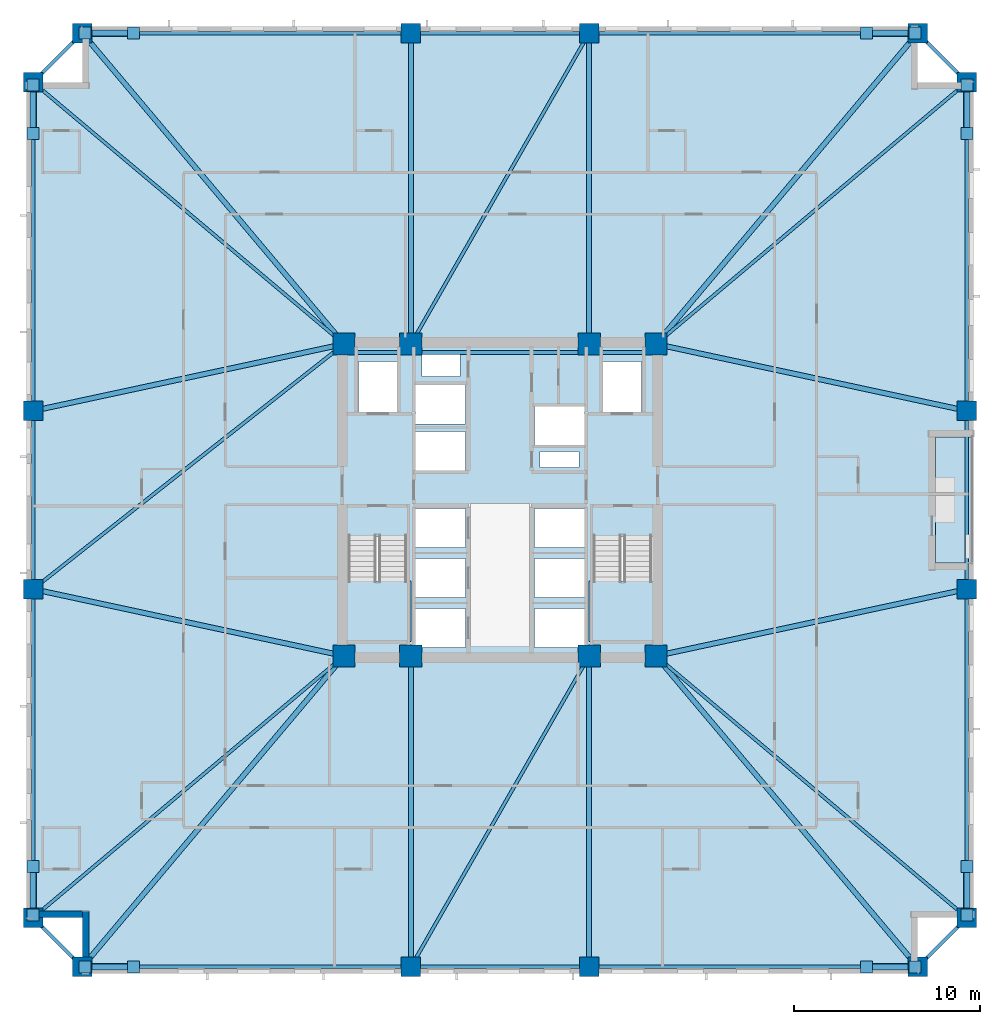
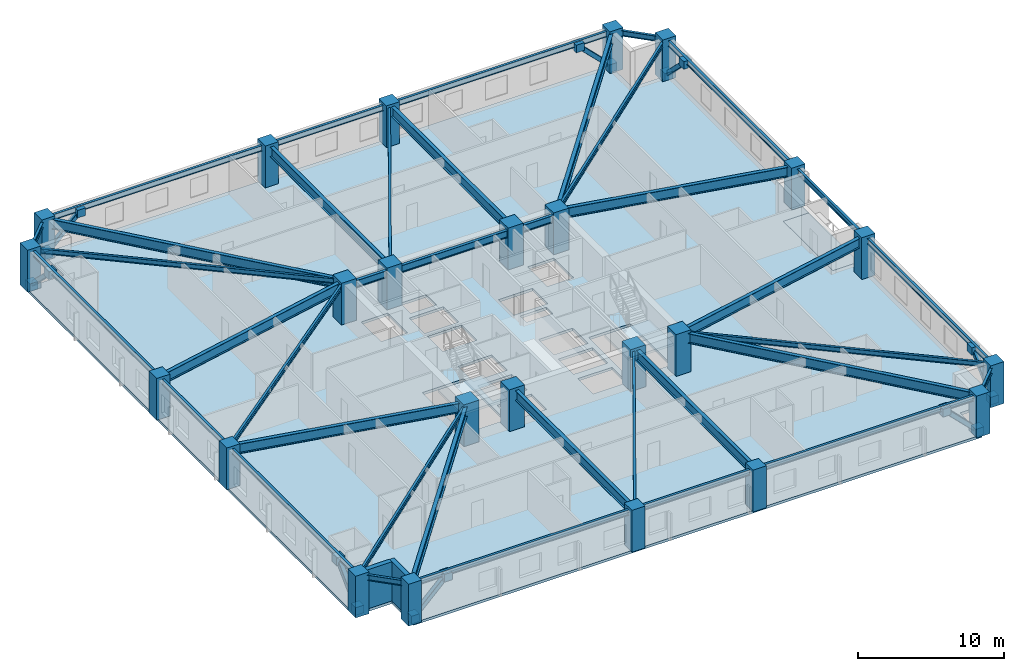
# One storey, part 1 of 11: 38 beams, 24 columns, 16 plates, 8 members, 4 slabs, 2 walls, 2 elements without a shape of their own.
"""IFC4 building model written with IfcOpenShell, lengths in metres."""

from ifc_helpers import new_model, si_unit, direction, frame, frame_2d, origin, origin_2d, place, context, subcontext, project, spatial, polyline, rectangle, hollow_rectangle, i_section, outline, extrude, material, layer, layer_set, material_profile, profile_set, type_object, element, aggregate, save


model = new_model("IFC4")

# Units and contexts
model_context = context("Model", 3, precision=1e-05, world=origin(), true_north=direction((0.0, 1.0)))
body_context = subcontext(model_context, "Body", "Model", "MODEL_VIEW")
ifc_project = project(units=[si_unit("LENGTHUNIT", "METRE"), si_unit("AREAUNIT", "SQUARE_METRE"), si_unit("VOLUMEUNIT", "CUBIC_METRE"), si_unit("PLANEANGLEUNIT", "RADIAN"), si_unit("MASSUNIT", "GRAM", prefix="KILO")], contexts=[model_context])

# Site, building, storey
site_placement = place(None, origin())
site = spatial("IfcSite", under=ifc_project, at=site_placement, CompositionType="ELEMENT")
building_placement = place(site_placement, origin())
building = spatial("IfcBuilding", under=site, at=building_placement, Name="Cairnveth Concourse Tower", CompositionType="ELEMENT")
storey_placement = place(building_placement, frame((0.0, 0.0, 69.0)))
storey = spatial("IfcBuildingStorey", under=building, at=storey_placement, Name="L18", CompositionType="ELEMENT", Elevation=69.0)

# Columns
ifc_material_1 = material(Name="Concrete N80 (80 MPa)", Category="concrete")
ifc_material_profile_1 = material_profile(ifc_material_1, rectangle(XDim=1.199951171875, YDim=1.199951171875, at=origin_2d()), Name="RC-COL-1200x1200")
ifc_profile_set_1 = profile_set([ifc_material_profile_1], Name="Concrete N80 (80 MPa)")
column_type_1 = type_object("IfcColumnType", Name="CORE COLUMN 1200X1200", PredefinedType="COLUMN", material=ifc_profile_set_1)
for number, where, z_axis, x_axis, name in (
    (1, (43.60009765625, 30.60009765625, 0.0), (0.0, 0.0, 1.0), (1.0, 0.0, 0.0), "Column CC1 L18"),
    (2, (47.199951171875, 30.60009765625, 0.0), (0.0, 0.0, 1.0), (1.0, 0.0, 0.0), "Column CC2 L18"),
    (3, (56.800048828125, 30.60009765625, 0.0), (0.0, 0.0, 1.0), (1.0, 0.0, 0.0), "Column CC3 L18"),
    (4, (60.39990234375, 30.60009765625, 0.0), (0.0, 0.0, 1.0), (1.0, 0.0, 0.0), "Column CC4 L18"),
    (5, (43.60009765625, 47.39990234375, 0.0), (0.0, 0.0, 1.0), (1.0, 0.0, 0.0), "Column CC5 L18"),
    (6, (47.199951171875, 47.39990234375, 0.0), (0.0, 0.0, 1.0), (1.0, 0.0, 0.0), "Column CC6 L18"),
    (7, (56.800048828125, 47.39990234375, 0.0), (0.0, 0.0, 1.0), (1.0, 0.0, 0.0), "Column CC7 L18"),
    (8, (60.39990234375, 47.39990234375, 0.0), (0.0, 0.0, 1.0), (1.0, 0.0, 0.0), "Column CC8 L18"),
):
    element("IfcColumn", number, at=place(storey_placement, frame(where, z_axis=z_axis, x_axis=x_axis)), inside=storey, type_object=column_type_1, Name=name, PredefinedType="COLUMN", context=body_context, shape_type="SweptSolid", body=[
        extrude(rectangle(XDim=1.199951171875, YDim=1.199951171875, at=origin_2d()), origin(), (0.0, 0.0, 1.0), 3.5),
    ])
ifc_material_2 = material(Name="Concrete N65 (65 MPa)", Category="concrete")
ifc_material_profile_2 = material_profile(ifc_material_2, rectangle(XDim=1.050048828125, YDim=1.050048828125, at=origin_2d()), Name="RC-COL-1050x1050")
ifc_profile_set_2 = profile_set([ifc_material_profile_2], Name="Concrete N65 (65 MPa)")
column_type_2 = type_object("IfcColumnType", Name="PERIMETER PIER COLUMN 1050X1050", PredefinedType="COLUMN", material=ifc_profile_set_2)
for number, where, z_axis, x_axis, name in (
    (9, (29.5, 13.85009765625, 0.0), (0.0, 0.0, 1.0), (1.0, 0.0, 0.0), "Column P-S1 L18"),
    (10, (47.199951171875, 13.85009765625, 0.0), (0.0, 0.0, 1.0), (1.0, 0.0, 0.0), "Column P-S2 L18"),
    (11, (56.800048828125, 13.85009765625, 0.0), (0.0, 0.0, 1.0), (1.0, 0.0, 0.0), "Column P-S3 L18"),
    (12, (74.5, 13.85009765625, 0.0), (0.0, 0.0, 1.0), (1.0, 0.0, 0.0), "Column P-S4 L18"),
    (13, (77.14990234375, 16.5, 0.0), (0.0, 0.0, 1.0), (0.0, 1.0, 0.0), "Column P-E1 L18"),
    (14, (77.14990234375, 34.199951171875, 0.0), (0.0, 0.0, 1.0), (0.0, 1.0, 0.0), "Column P-E2 L18"),
    (15, (77.14990234375, 43.800048828125, 0.0), (0.0, 0.0, 1.0), (0.0, 1.0, 0.0), "Column P-E3 L18"),
    (16, (77.14990234375, 61.5, 0.0), (0.0, 0.0, 1.0), (0.0, 1.0, 0.0), "Column P-E4 L18"),
    (17, (74.5, 64.14990234375, 0.0), (0.0, 0.0, 1.0), (1.0, 0.0, 0.0), "Column P-N1 L18"),
    (18, (56.800048828125, 64.14990234375, 0.0), (0.0, 0.0, 1.0), (1.0, 0.0, 0.0), "Column P-N2 L18"),
    (19, (47.199951171875, 64.14990234375, 0.0), (0.0, 0.0, 1.0), (1.0, 0.0, 0.0), "Column P-N3 L18"),
    (20, (29.5, 64.14990234375, 0.0), (0.0, 0.0, 1.0), (1.0, 0.0, 0.0), "Column P-N4 L18"),
    (21, (26.85009765625, 61.5, 0.0), (0.0, 0.0, 1.0), (0.0, 1.0, 0.0), "Column P-W1 L18"),
    (22, (26.85009765625, 43.800048828125, 0.0), (0.0, 0.0, 1.0), (0.0, 1.0, 0.0), "Column P-W2 L18"),
    (23, (26.85009765625, 34.199951171875, 0.0), (0.0, 0.0, 1.0), (0.0, 1.0, 0.0), "Column P-W3 L18"),
    (24, (26.85009765625, 16.5, 0.0), (0.0, 0.0, 1.0), (0.0, 1.0, 0.0), "Column P-W4 L18"),
):
    element("IfcColumn", number, at=place(storey_placement, frame(where, z_axis=z_axis, x_axis=x_axis)), inside=storey, type_object=column_type_2, Name=name, PredefinedType="COLUMN", context=body_context, shape_type="SweptSolid", body=[
        extrude(rectangle(XDim=1.050048828125, YDim=1.050048828125, at=origin_2d()), origin(), (0.0, 0.0, 1.0), 3.5),
    ])

# Beams
ifc_material_3 = material(Name="Steel Grade 350", Category="steel")
ifc_material_profile_3 = material_profile(ifc_material_3, i_section(OverallWidth=0.22802734375, OverallDepth=0.60693359375, WebThickness=0.01123046875, FlangeThickness=0.017333984375, FilletRadius=0.013916015625, at=origin_2d()), Name="610UB113")
ifc_profile_set_3 = profile_set([ifc_material_profile_3], Name="Steel Grade 350")
beam_type_1 = type_object("IfcBeamType", Name="CORE TIE BEAM 610UB113", PredefinedType="T_BEAM", material=ifc_profile_set_3)
for number, where, z_axis, x_axis, name in (
    (25, (43.60009765625, 46.949951171875, 2.9765625), (1.0, 0.0, 0.0), (0.0, 1.0, 0.0), "Beam CT-N1 L18"),
    (26, (56.800048828125, 46.949951171875, 2.9765625), (1.0, 0.0, 0.0), (0.0, 1.0, 0.0), "Beam CT-N3 L18"),
):
    element("IfcBeam", number, at=place(storey_placement, frame(where, z_axis=z_axis, x_axis=x_axis)), inside=storey, type_object=beam_type_1, Name=name, PredefinedType="T_BEAM", context=body_context, shape_type="SweptSolid", body=[
        extrude(i_section(OverallWidth=0.22802734375, OverallDepth=0.60693359375, WebThickness=0.01123046875, FlangeThickness=0.017333984375, FilletRadius=0.013916015625, at=origin_2d()), origin(), (0.0, 0.0, 1.0), 3.599853515625),
    ])
beam_1_placement = place(storey_placement, frame((47.199951171875, 46.949951171875, 2.9765625), z_axis=(1.0, 0.0, 0.0), x_axis=(0.0, 1.0, 0.0)))
element("IfcBeam", 27, at=beam_1_placement, inside=storey, type_object=beam_type_1, Name="Beam CT-N2 L18", PredefinedType="T_BEAM", context=body_context, shape_type="SweptSolid", body=[
    extrude(i_section(OverallWidth=0.22802734375, OverallDepth=0.60693359375, WebThickness=0.01123046875, FlangeThickness=0.017333984375, FilletRadius=0.013916015625, at=origin_2d()), origin(), (0.0, 0.0, 1.0), 9.60009765625),
])
ifc_material_profile_4 = material_profile(ifc_material_3, i_section(OverallWidth=0.177978515625, OverallDepth=0.406005859375, WebThickness=0.0078125, FlangeThickness=0.0126953125, FilletRadius=0.010986328125, at=origin_2d()), Name="410UB59.7")
ifc_profile_set_4 = profile_set([ifc_material_profile_4], Name="Steel Grade 350")
beam_type_2 = type_object("IfcBeamType", Name="ZONE 1 FLOOR JOIST 410UB59.7", PredefinedType="JOIST", material=ifc_profile_set_4)
for number, where, z_axis, x_axis, name in (
    (28, (26.85009765625, 16.5, 3.076904296875), (0.765027427674, 0.643997697905, 0.0), (-0.643997697905, 0.765027427674, 0.0), "Beam FJ-CSW2 L18"),
    (29, (77.14990234375, 16.5, 3.076904296875), (-0.765027427674, 0.643997697905, 0.0), (-0.643997697905, -0.765027427674, 0.0), "Beam FJ-CSE2 L18"),
    (30, (77.14990234375, 61.5, 3.076904296875), (-0.765027427674, -0.643997697905, 0.0), (0.643997697905, -0.765027427674, 0.0), "Beam FJ-CNE2 L18"),
    (31, (26.85009765625, 61.5, 3.076904296875), (0.765027427674, -0.643997697905, 0.0), (0.643997697905, 0.765027427674, 0.0), "Beam FJ-CNW2 L18"),
):
    element("IfcBeam", number, at=place(storey_placement, frame(where, z_axis=z_axis, x_axis=x_axis)), inside=storey, type_object=beam_type_2, Name=name, PredefinedType="JOIST", context=body_context, shape_type="SweptSolid", body=[
        extrude(i_section(OverallWidth=0.177978515625, OverallDepth=0.406005859375, WebThickness=0.0078125, FlangeThickness=0.0126953125, FilletRadius=0.010986328125, at=origin_2d()), origin(), (0.0, 0.0, 1.0), 21.89453125),
    ])
for number, where, z_axis, x_axis, name in (
    (32, (47.199951171875, 13.85009765625, 3.076904296875), (0.497257970706, 0.86760273776, 0.0), (-0.86760273776, 0.497257970706, 0.0), "Beam FJ-S-M1 L18"),
    (33, (47.199951171875, 47.39990234375, 3.076904296875), (0.497257970706, 0.86760273776, 0.0), (-0.86760273776, 0.497257970706, 0.0), "Beam FJ-N-M1 L18"),
):
    element("IfcBeam", number, at=place(storey_placement, frame(where, z_axis=z_axis, x_axis=x_axis)), inside=storey, type_object=beam_type_2, Name=name, PredefinedType="JOIST", context=body_context, shape_type="SweptSolid", body=[
        extrude(i_section(OverallWidth=0.177978515625, OverallDepth=0.406005859375, WebThickness=0.0078125, FlangeThickness=0.0126953125, FilletRadius=0.010986328125, at=origin_2d()), origin(), (0.0, 0.0, 1.0), 19.30615234375),
    ])
beam_2_placement = place(storey_placement, frame((26.85009765625, 34.199951171875, 3.076904296875), z_axis=(0.785423705995, 0.618958481694, 0.0), x_axis=(-0.618958481694, 0.785423705995, 0.0)))
element("IfcBeam", 34, at=beam_2_placement, inside=storey, type_object=beam_type_2, Name="Beam FJ-W-M1 L18", PredefinedType="JOIST", context=body_context, shape_type="SweptSolid", body=[
    extrude(i_section(OverallWidth=0.177978515625, OverallDepth=0.406005859375, WebThickness=0.0078125, FlangeThickness=0.0126953125, FilletRadius=0.010986328125, at=origin_2d()), origin(), (0.0, 0.0, 1.0), 21.326171875),
])

# Members
ifc_material_4 = material(Name="Steel C350L0 (350 MPa)", Category="steel")
ifc_material_profile_5 = material_profile(ifc_material_4, hollow_rectangle(XDim=0.35009765625, YDim=0.35009765625, WallThickness=0.01611328125, InnerFilletRadius=0.01611328125, OuterFilletRadius=0.031982421875, at=origin_2d()), Name="350x350x16.0SHS")
ifc_profile_set_5 = profile_set([ifc_material_profile_5], Name="Steel C350L0 (350 MPa)")
member_type = type_object("IfcMemberType", Name="ZONE 1 PIER BRACE 350X350X16SHS", PredefinedType="BRACE", material=ifc_profile_set_5)
for number, where, z_axis, x_axis, name in (
    (35, (29.64990234375, 13.85009765625, 0.25), (0.709834195787, 0.0, 0.704368805735), (0.0, 1.0, 0.0), "Structural Brace PB-S1 L18"),
    (36, (74.35009765625, 13.85009765625, 0.25), (-0.709834195787, 0.0, 0.704368805735), (0.0, -1.0, 0.0), "Structural Brace PB-S2 L18"),
    (37, (29.64990234375, 64.14990234375, 0.25), (0.709834195787, 0.0, 0.704368805735), (0.0, 1.0, 0.0), "Structural Brace PB-N1 L18"),
    (38, (74.35009765625, 64.14990234375, 0.25), (-0.709834195787, 0.0, 0.704368805735), (0.0, -1.0, 0.0), "Structural Brace PB-N2 L18"),
    (39, (26.85009765625, 16.64990234375, 0.25), (0.0, 0.709834195787, 0.704368805735), (-1.0, 0.0, 0.0), "Structural Brace PB-W1 L18"),
    (40, (26.85009765625, 61.35009765625, 0.25), (0.0, -0.709834195787, 0.704368805735), (1.0, 0.0, 0.0), "Structural Brace PB-W2 L18"),
    (41, (77.14990234375, 16.64990234375, 0.25), (0.0, 0.709834195787, 0.704368805735), (-1.0, 0.0, 0.0), "Structural Brace PB-E1 L18"),
    (42, (77.14990234375, 61.35009765625, 0.25), (0.0, -0.709834195787, 0.704368805735), (1.0, 0.0, 0.0), "Structural Brace PB-E2 L18"),
):
    element("IfcMember", number, at=place(storey_placement, frame(where, z_axis=z_axis, x_axis=x_axis)), inside=storey, type_object=member_type, Name=name, PredefinedType="BRACE", context=body_context, shape_type="SweptSolid", body=[
        extrude(hollow_rectangle(XDim=0.35009765625, YDim=0.35009765625, WallThickness=0.01611328125, InnerFilletRadius=0.01611328125, OuterFilletRadius=0.031982421875, at=origin_2d()), origin(), (0.0, 0.0, 1.0), 3.6630859375),
    ])

# Beams
ifc_material_profile_6 = material_profile(ifc_material_3, i_section(OverallWidth=0.27490234375, OverallDepth=0.81591796875, WebThickness=0.011962890625, FlangeThickness=0.028076171875, at=origin_2d()), Name="800WB192")
ifc_profile_set_6 = profile_set([ifc_material_profile_6], Name="Steel Grade 350")
beam_type_3 = type_object("IfcBeamType", Name="ZONE 1 RADIAL GIRDER 800WB192", PredefinedType="BEAM", material=ifc_profile_set_6)
for number, where, z_axis, x_axis, name in (
    (43, (47.199951171875, 13.85009765625, 2.8720703125), (0.0, 1.0, 0.0), (-1.0, 0.0, 0.0), "Beam RG-S1 L18"),
    (44, (56.800048828125, 13.85009765625, 2.8720703125), (0.0, 1.0, 0.0), (-1.0, 0.0, 0.0), "Beam RG-S2 L18"),
    (45, (47.199951171875, 47.39990234375, 2.8720703125), (0.0, 1.0, 0.0), (-1.0, 0.0, 0.0), "Beam RG-N1 L18"),
    (46, (56.800048828125, 47.39990234375, 2.8720703125), (0.0, 1.0, 0.0), (-1.0, 0.0, 0.0), "Beam RG-N2 L18"),
):
    element("IfcBeam", number, at=place(storey_placement, frame(where, z_axis=z_axis, x_axis=x_axis)), inside=storey, type_object=beam_type_3, Name=name, PredefinedType="BEAM", context=body_context, shape_type="SweptSolid", body=[
        extrude(i_section(OverallWidth=0.27490234375, OverallDepth=0.81591796875, WebThickness=0.011962890625, FlangeThickness=0.028076171875, at=origin_2d()), origin(), (0.0, 0.0, 1.0), 16.75),
    ])
for number, where, z_axis, x_axis, name in (
    (47, (26.85009765625, 34.199951171875, 2.8720703125), (0.977675861524, -0.210118799239, 0.0), (0.210118799239, 0.977675861524, 0.0), "Beam RG-W1 L18"),
    (48, (26.85009765625, 43.800048828125, 2.8720703125), (0.977675861524, 0.210118799239, 0.0), (-0.210118799239, 0.977675861524, 0.0), "Beam RG-W2 L18"),
    (49, (60.39990234375, 30.60009765625, 2.8720703125), (0.977675861524, 0.210118799239, 0.0), (-0.210118799239, 0.977675861524, 0.0), "Beam RG-E1 L18"),
    (50, (60.39990234375, 47.39990234375, 2.8720703125), (0.977675861524, -0.210118799239, 0.0), (0.210118799239, 0.977675861524, 0.0), "Beam RG-E2 L18"),
):
    element("IfcBeam", number, at=place(storey_placement, frame(where, z_axis=z_axis, x_axis=x_axis)), inside=storey, type_object=beam_type_3, Name=name, PredefinedType="BEAM", context=body_context, shape_type="SweptSolid", body=[
        extrude(i_section(OverallWidth=0.27490234375, OverallDepth=0.81591796875, WebThickness=0.011962890625, FlangeThickness=0.028076171875, at=origin_2d()), origin(), (0.0, 0.0, 1.0), 17.132568359375),
    ])
for number, where, z_axis, x_axis, name in (
    (51, (29.5, 13.85009765625, 2.8720703125), (0.643997697905, 0.765027427674, 0.0), (-0.765027427674, 0.643997697905, 0.0), "Beam RG-CSW L18"),
    (52, (74.5, 13.85009765625, 2.8720703125), (-0.643997697905, 0.765027427674, 0.0), (-0.765027427674, -0.643997697905, 0.0), "Beam RG-CSE L18"),
    (53, (74.5, 64.14990234375, 2.8720703125), (-0.643997697905, -0.765027427674, 0.0), (0.765027427674, -0.643997697905, 0.0), "Beam RG-CNE L18"),
    (54, (29.5, 64.14990234375, 2.8720703125), (0.643997697905, -0.765027427674, 0.0), (0.765027427674, 0.643997697905, 0.0), "Beam RG-CNW L18"),
):
    element("IfcBeam", number, at=place(storey_placement, frame(where, z_axis=z_axis, x_axis=x_axis)), inside=storey, type_object=beam_type_3, Name=name, PredefinedType="BEAM", context=body_context, shape_type="SweptSolid", body=[
        extrude(i_section(OverallWidth=0.27490234375, OverallDepth=0.81591796875, WebThickness=0.011962890625, FlangeThickness=0.028076171875, at=origin_2d()), origin(), (0.0, 0.0, 1.0), 21.89453125),
    ])
ifc_material_profile_7 = material_profile(ifc_material_3, i_section(OverallWidth=0.19091796875, OverallDepth=0.4599609375, WebThickness=0.010009765625, FlangeThickness=0.01611328125, FilletRadius=0.010986328125, at=origin_2d()), Name="460UB82.1")
ifc_profile_set_7 = profile_set([ifc_material_profile_7], Name="Steel Grade 350")
beam_type_4 = type_object("IfcBeamType", Name="ZONE 1 SPANDREL BEAM 460UB82.1", PredefinedType="SPANDREL", material=ifc_profile_set_7)
beam_3_placement = place(storey_placement, frame((29.5, 13.85009765625, 3.050048828125), z_axis=(1.0, 0.0, 0.0), x_axis=(0.0, 1.0, 0.0)))
element("IfcBeam", 55, at=beam_3_placement, inside=storey, type_object=beam_type_4, Name="Beam SP-S1 L18", PredefinedType="SPANDREL", context=body_context, shape_type="SweptSolid", body=[
    extrude(i_section(OverallWidth=0.19091796875, OverallDepth=0.4599609375, WebThickness=0.010009765625, FlangeThickness=0.01611328125, FilletRadius=0.010986328125, at=origin_2d()), origin(), (0.0, 0.0, 1.0), 17.699951171875),
])
beam_4_placement = place(storey_placement, frame((47.199951171875, 13.85009765625, 3.050048828125), z_axis=(1.0, 0.0, 0.0), x_axis=(0.0, 1.0, 0.0)))
element("IfcBeam", 56, at=beam_4_placement, inside=storey, type_object=beam_type_4, Name="Beam SP-S2 L18", PredefinedType="SPANDREL", context=body_context, shape_type="SweptSolid", body=[
    extrude(i_section(OverallWidth=0.19091796875, OverallDepth=0.4599609375, WebThickness=0.010009765625, FlangeThickness=0.01611328125, FilletRadius=0.010986328125, at=origin_2d()), origin(), (0.0, 0.0, 1.0), 9.60009765625),
])
for number, where, z_axis, x_axis, name in (
    (57, (56.800048828125, 13.85009765625, 3.050048828125), (1.0, 0.0, 0.0), (0.0, 1.0, 0.0), "Beam SP-S3 L18"),
    (58, (29.5, 64.14990234375, 3.050048828125), (1.0, 0.0, 0.0), (0.0, 1.0, 0.0), "Beam SP-N1 L18"),
):
    element("IfcBeam", number, at=place(storey_placement, frame(where, z_axis=z_axis, x_axis=x_axis)), inside=storey, type_object=beam_type_4, Name=name, PredefinedType="SPANDREL", context=body_context, shape_type="SweptSolid", body=[
        extrude(i_section(OverallWidth=0.19091796875, OverallDepth=0.4599609375, WebThickness=0.010009765625, FlangeThickness=0.01611328125, FilletRadius=0.010986328125, at=origin_2d()), origin(), (0.0, 0.0, 1.0), 17.699951171875),
    ])
beam_5_placement = place(storey_placement, frame((47.199951171875, 64.14990234375, 3.050048828125), z_axis=(1.0, 0.0, 0.0), x_axis=(0.0, 1.0, 0.0)))
element("IfcBeam", 59, at=beam_5_placement, inside=storey, type_object=beam_type_4, Name="Beam SP-N2 L18", PredefinedType="SPANDREL", context=body_context, shape_type="SweptSolid", body=[
    extrude(i_section(OverallWidth=0.19091796875, OverallDepth=0.4599609375, WebThickness=0.010009765625, FlangeThickness=0.01611328125, FilletRadius=0.010986328125, at=origin_2d()), origin(), (0.0, 0.0, 1.0), 9.60009765625),
])
for number, where, z_axis, x_axis, name in (
    (60, (56.800048828125, 64.14990234375, 3.050048828125), (1.0, 0.0, 0.0), (0.0, 1.0, 0.0), "Beam SP-N3 L18"),
    (61, (26.85009765625, 16.5, 3.050048828125), (0.0, 1.0, 0.0), (-1.0, 0.0, 0.0), "Beam SP-W1 L18"),
):
    element("IfcBeam", number, at=place(storey_placement, frame(where, z_axis=z_axis, x_axis=x_axis)), inside=storey, type_object=beam_type_4, Name=name, PredefinedType="SPANDREL", context=body_context, shape_type="SweptSolid", body=[
        extrude(i_section(OverallWidth=0.19091796875, OverallDepth=0.4599609375, WebThickness=0.010009765625, FlangeThickness=0.01611328125, FilletRadius=0.010986328125, at=origin_2d()), origin(), (0.0, 0.0, 1.0), 17.699951171875),
    ])
beam_6_placement = place(storey_placement, frame((26.85009765625, 34.199951171875, 3.050048828125), z_axis=(0.0, 1.0, 0.0), x_axis=(-1.0, 0.0, 0.0)))
element("IfcBeam", 62, at=beam_6_placement, inside=storey, type_object=beam_type_4, Name="Beam SP-W2 L18", PredefinedType="SPANDREL", context=body_context, shape_type="SweptSolid", body=[
    extrude(i_section(OverallWidth=0.19091796875, OverallDepth=0.4599609375, WebThickness=0.010009765625, FlangeThickness=0.01611328125, FilletRadius=0.010986328125, at=origin_2d()), origin(), (0.0, 0.0, 1.0), 9.60009765625),
])
for number, where, z_axis, x_axis, name in (
    (63, (26.85009765625, 43.800048828125, 3.050048828125), (0.0, 1.0, 0.0), (-1.0, 0.0, 0.0), "Beam SP-W3 L18"),
    (64, (77.14990234375, 16.5, 3.050048828125), (0.0, 1.0, 0.0), (-1.0, 0.0, 0.0), "Beam SP-E1 L18"),
):
    element("IfcBeam", number, at=place(storey_placement, frame(where, z_axis=z_axis, x_axis=x_axis)), inside=storey, type_object=beam_type_4, Name=name, PredefinedType="SPANDREL", context=body_context, shape_type="SweptSolid", body=[
        extrude(i_section(OverallWidth=0.19091796875, OverallDepth=0.4599609375, WebThickness=0.010009765625, FlangeThickness=0.01611328125, FilletRadius=0.010986328125, at=origin_2d()), origin(), (0.0, 0.0, 1.0), 17.699951171875),
    ])
beam_7_placement = place(storey_placement, frame((77.14990234375, 34.199951171875, 3.050048828125), z_axis=(0.0, 1.0, 0.0), x_axis=(-1.0, 0.0, 0.0)))
element("IfcBeam", 65, at=beam_7_placement, inside=storey, type_object=beam_type_4, Name="Beam SP-E2 L18", PredefinedType="SPANDREL", context=body_context, shape_type="SweptSolid", body=[
    extrude(i_section(OverallWidth=0.19091796875, OverallDepth=0.4599609375, WebThickness=0.010009765625, FlangeThickness=0.01611328125, FilletRadius=0.010986328125, at=origin_2d()), origin(), (0.0, 0.0, 1.0), 9.60009765625),
])
beam_8_placement = place(storey_placement, frame((77.14990234375, 43.800048828125, 3.050048828125), z_axis=(0.0, 1.0, 0.0), x_axis=(-1.0, 0.0, 0.0)))
element("IfcBeam", 66, at=beam_8_placement, inside=storey, type_object=beam_type_4, Name="Beam SP-E3 L18", PredefinedType="SPANDREL", context=body_context, shape_type="SweptSolid", body=[
    extrude(i_section(OverallWidth=0.19091796875, OverallDepth=0.4599609375, WebThickness=0.010009765625, FlangeThickness=0.01611328125, FilletRadius=0.010986328125, at=origin_2d()), origin(), (0.0, 0.0, 1.0), 17.699951171875),
])
for number, where, z_axis, x_axis, name in (
    (67, (26.85009765625, 16.5, 3.050048828125), (0.707106781187, -0.707106781187, 0.0), (0.707106781187, 0.707106781187, 0.0), "Beam SP-SW L18"),
    (68, (74.5, 13.85009765625, 3.050048828125), (0.707106781187, 0.707106781187, 0.0), (-0.707106781187, 0.707106781187, 0.0), "Beam SP-SE L18"),
    (69, (74.5, 64.14990234375, 3.050048828125), (0.707106781187, -0.707106781187, 0.0), (0.707106781187, 0.707106781187, 0.0), "Beam SP-NE L18"),
    (70, (26.85009765625, 61.5, 3.050048828125), (0.707106781187, 0.707106781187, 0.0), (-0.707106781187, 0.707106781187, 0.0), "Beam SP-NW L18"),
):
    element("IfcBeam", number, at=place(storey_placement, frame(where, z_axis=z_axis, x_axis=x_axis)), inside=storey, type_object=beam_type_4, Name=name, PredefinedType="SPANDREL", context=body_context, shape_type="SweptSolid", body=[
        extrude(i_section(OverallWidth=0.19091796875, OverallDepth=0.4599609375, WebThickness=0.010009765625, FlangeThickness=0.01611328125, FilletRadius=0.010986328125, at=origin_2d()), origin(), (0.0, 0.0, 1.0), 3.74755859375),
    ])

# Slab
ifc_material_5 = material(Name="Concrete N50 (50 MPa)", Category="concrete")
ifc_layer_1 = layer(ifc_material_5, 0.219970703125)
ifc_layer_set_1 = layer_set([ifc_layer_1], Name="Concrete N50 (50 MPa)")
slab_type_1 = type_object("IfcSlabType", Name="LOWER TOWER COMPOSITE SLAB 220", PredefinedType="FLOOR", material=ifc_layer_set_1)
slab_1_placement = place(storey_placement, frame((0.0, 0.0, -0.219970703125)))
element("IfcSlab", 71, at=slab_1_placement, inside=storey, type_object=slab_type_1, Name="Tower Floor Slab L18", PredefinedType="FLOOR", context=body_context, shape_type="SweptSolid", body=[
    extrude(outline(polyline([(77.5, 35.60009765625), (75.449951171875, 35.60009765625), (75.449951171875, 42.39990234375), (77.5, 42.39990234375), (77.5, 61.5), (74.5, 61.5), (74.5, 64.5), (29.5, 64.5), (29.5, 61.5), (26.5, 61.5), (26.5, 16.5), (29.5, 16.5), (29.5, 13.5), (74.5, 13.5), (74.5, 16.5), (77.5, 16.5), (77.5, 35.60009765625)]), holes=[polyline([(43.760009765625, 31.360107421875), (47.06005859375, 31.360107421875), (47.06005859375, 37.0400390625), (43.760009765625, 37.0400390625), (43.760009765625, 31.360107421875)]), polyline([(56.93994140625, 31.360107421875), (60.239990234375, 31.360107421875), (60.239990234375, 37.0400390625), (56.93994140625, 37.0400390625), (56.93994140625, 31.360107421875)]), polyline([(44.3701171875, 43.75), (46.469970703125, 43.75), (46.469970703125, 46.449951171875), (44.3701171875, 46.449951171875), (44.3701171875, 43.75)]), polyline([(57.530029296875, 43.75), (59.6298828125, 43.75), (59.6298828125, 46.449951171875), (57.530029296875, 46.449951171875), (57.530029296875, 43.75)]), polyline([(47.449951171875, 31.050048828125), (50.14990234375, 31.050048828125), (50.14990234375, 33.14990234375), (47.449951171875, 33.14990234375), (47.449951171875, 31.050048828125)]), polyline([(47.449951171875, 33.75), (50.14990234375, 33.75), (50.14990234375, 35.85009765625), (47.449951171875, 35.85009765625), (47.449951171875, 33.75)]), polyline([(47.449951171875, 36.449951171875), (50.14990234375, 36.449951171875), (50.14990234375, 38.550048828125), (47.449951171875, 38.550048828125), (47.449951171875, 36.449951171875)]), polyline([(53.85009765625, 31.050048828125), (56.550048828125, 31.050048828125), (56.550048828125, 33.14990234375), (53.85009765625, 33.14990234375), (53.85009765625, 31.050048828125)]), polyline([(53.85009765625, 33.75), (56.550048828125, 33.75), (56.550048828125, 35.85009765625), (53.85009765625, 35.85009765625), (53.85009765625, 33.75)]), polyline([(53.85009765625, 36.449951171875), (56.550048828125, 36.449951171875), (56.550048828125, 38.550048828125), (53.85009765625, 38.550048828125), (53.85009765625, 36.449951171875)]), polyline([(47.449951171875, 40.60009765625), (50.14990234375, 40.60009765625), (50.14990234375, 42.699951171875), (47.449951171875, 42.699951171875), (47.449951171875, 40.60009765625)]), polyline([(47.449951171875, 43.10009765625), (50.14990234375, 43.10009765625), (50.14990234375, 45.199951171875), (47.449951171875, 45.199951171875), (47.449951171875, 43.10009765625)]), polyline([(53.85009765625, 41.949951171875), (56.550048828125, 41.949951171875), (56.550048828125, 44.050048828125), (53.85009765625, 44.050048828125), (53.85009765625, 41.949951171875)]), polyline([(47.800048828125, 45.64990234375), (49.85009765625, 45.64990234375), (49.85009765625, 47.050048828125), (47.800048828125, 47.050048828125), (47.800048828125, 45.64990234375)]), polyline([(54.14990234375, 40.75), (56.25, 40.75), (56.25, 41.6201171875), (54.14990234375, 41.6201171875), (54.14990234375, 40.75)])]), origin(), (0.0, 0.0, 1.0), 0.219970703125),
])

# Plates
ifc_layer_2 = layer(ifc_material_3, 0.031982421875)
ifc_layer_set_2 = layer_set([ifc_layer_2], Name="Steel Grade 350")
plate_type = type_object("IfcPlateType", Name="PERIMETER BRACE GUSSET PLATE 32", PredefinedType="USERDEFINED", material=ifc_layer_set_2)
for number, where, z_axis, x_axis, name in (
    (72, (29.64990234375, 13.85009765625, -0.06982421875), (0.0, 0.0, 1.0), (1.0, 0.0, 0.0), "Structural Node Plate 0269 L18"),
    (73, (32.25, 13.85009765625, 2.51025390625), (0.0, 0.0, 1.0), (1.0, 0.0, 0.0), "Structural Node Plate 0270 L18"),
    (74, (74.35009765625, 13.85009765625, -0.06982421875), (0.0, 0.0, 1.0), (1.0, 0.0, 0.0), "Structural Node Plate 0271 L18"),
    (75, (71.75, 13.85009765625, 2.51025390625), (0.0, 0.0, 1.0), (1.0, 0.0, 0.0), "Structural Node Plate 0272 L18"),
    (76, (29.64990234375, 64.14990234375, -0.06982421875), (0.0, 0.0, 1.0), (1.0, 0.0, 0.0), "Structural Node Plate 0273 L18"),
    (77, (32.25, 64.14990234375, 2.51025390625), (0.0, 0.0, 1.0), (1.0, 0.0, 0.0), "Structural Node Plate 0274 L18"),
    (78, (74.35009765625, 64.14990234375, -0.06982421875), (0.0, 0.0, 1.0), (1.0, 0.0, 0.0), "Structural Node Plate 0275 L18"),
    (79, (71.75, 64.14990234375, 2.51025390625), (0.0, 0.0, 1.0), (1.0, 0.0, 0.0), "Structural Node Plate 0276 L18"),
    (80, (26.85009765625, 16.64990234375, -0.06982421875), (0.0, 0.0, 1.0), (1.0, 0.0, 0.0), "Structural Node Plate 0277 L18"),
    (81, (26.85009765625, 19.25, 2.51025390625), (0.0, 0.0, 1.0), (1.0, 0.0, 0.0), "Structural Node Plate 0278 L18"),
    (82, (26.85009765625, 61.35009765625, -0.06982421875), (0.0, 0.0, 1.0), (1.0, 0.0, 0.0), "Structural Node Plate 0279 L18"),
    (83, (26.85009765625, 58.75, 2.51025390625), (0.0, 0.0, 1.0), (1.0, 0.0, 0.0), "Structural Node Plate 0280 L18"),
    (84, (77.14990234375, 16.64990234375, -0.06982421875), (0.0, 0.0, 1.0), (1.0, 0.0, 0.0), "Structural Node Plate 0281 L18"),
    (85, (77.14990234375, 19.25, 2.51025390625), (0.0, 0.0, 1.0), (1.0, 0.0, 0.0), "Structural Node Plate 0282 L18"),
    (86, (77.14990234375, 61.35009765625, -0.06982421875), (0.0, 0.0, 1.0), (1.0, 0.0, 0.0), "Structural Node Plate 0283 L18"),
    (87, (77.14990234375, 58.75, 2.51025390625), (0.0, 0.0, 1.0), (1.0, 0.0, 0.0), "Structural Node Plate 0284 L18"),
):
    element("IfcPlate", number, at=place(storey_placement, frame(where, z_axis=z_axis, x_axis=x_axis)), inside=storey, type_object=plate_type, Name=name, ObjectType="GUSSET PLATE", PredefinedType="USERDEFINED", context=body_context, shape_type="SweptSolid", body=[
        extrude(rectangle(XDim=0.639892578125, YDim=0.639892578125, at=origin_2d()), origin(), (0.0, 0.0, 1.0), 0.639892578125),
    ])

# Slab
ifc_layer_3 = layer(ifc_material_5, 0.18994140625)
ifc_layer_set_3 = layer_set([ifc_layer_3], Name="Concrete N50 (50 MPa)")
slab_type_2 = type_object("IfcSlabType", Name="SPIRAL OUTDOOR TERRACE SLAB 190", PredefinedType="FLOOR", material=ifc_layer_set_3)
slab_2_placement = place(storey_placement, frame((0.0, 0.0, -0.18994140625)))
element("IfcSlab", 88, at=slab_2_placement, inside=storey, type_object=slab_type_2, Name="Spiral Terrace Slab L18", PredefinedType="FLOOR", context=body_context, shape_type="SweptSolid", body=[
    extrude(outline(polyline([(75.449951171875, 35.60009765625), (77.5, 35.60009765625), (77.5, 42.39990234375), (75.449951171875, 42.39990234375), (75.449951171875, 35.60009765625)])), origin(), (0.0, 0.0, 1.0), 0.18994140625),
])

# Stair, slab
ifc_material_6 = material(Name="Precast concrete N50 (50 MPa)", Category="concrete")
stair_type = type_object("IfcStairType", Name="CORE DOG-LEG FIRE STAIR 1500", PredefinedType="HALF_TURN_STAIR", material=ifc_material_6)
stair_1_placement = place(storey_placement, origin())
stair_1 = element("IfcStair", 89, at=stair_1_placement, inside=storey, type_object=stair_type, Name="L18 Fire-Isolated Stair ST-1", PredefinedType="HALF_TURN_STAIR")
ifc_layer_4 = layer(ifc_material_5, 0.199951171875)
ifc_layer_set_4 = layer_set([ifc_layer_4], Name="Concrete N50 (50 MPa)")
slab_type_3 = type_object("IfcSlabType", Name="STAIR HALF LANDING SLAB 200", PredefinedType="LANDING", material=ifc_layer_set_4)
slab_3_placement = place(storey_placement, frame((0.0, 0.0, 1.550048828125)))
slab_3 = element("IfcSlab", 90, at=slab_3_placement, type_object=slab_type_3, Name="ST-1 landing 1", PredefinedType="LANDING", context=body_context, shape_type="SweptSolid", body=[
    extrude(outline(polyline([(43.6201171875, 34.639892578125), (43.6201171875, 31.3701171875), (47.199951171875, 31.3701171875), (47.199951171875, 34.639892578125), (43.6201171875, 34.639892578125)])), origin(), (0.0, 0.0, 1.0), 0.199951171875),
])
aggregate(stair_1, [slab_3])

stair_2_placement = place(storey_placement, origin())
stair_2 = element("IfcStair", 91, at=stair_2_placement, inside=storey, type_object=stair_type, Name="L18 Fire-Isolated Stair ST-2", PredefinedType="HALF_TURN_STAIR")
slab_4_placement = place(storey_placement, frame((0.0, 0.0, 1.550048828125)))
slab_4 = element("IfcSlab", 92, at=slab_4_placement, type_object=slab_type_3, Name="ST-2 landing 1", PredefinedType="LANDING", context=body_context, shape_type="SweptSolid", body=[
    extrude(outline(polyline([(56.800048828125, 34.639892578125), (56.800048828125, 31.3701171875), (60.3798828125, 31.3701171875), (60.3798828125, 34.639892578125), (56.800048828125, 34.639892578125)])), origin(), (0.0, 0.0, 1.0), 0.199951171875),
])
aggregate(stair_2, [slab_4])

# Walls
ifc_material_7 = material(Name="Hawthorn Red-Ochre Fired Clay Brick Masonry", Category="masonry")
ifc_layer_5 = layer(ifc_material_7, 0.360107421875)
ifc_layer_set_5 = layer_set([ifc_layer_5], Name="Hawthorn Red-Ochre Fired Clay Brick Masonry")
wall_type = type_object("IfcWallType", Name="ZONE 1 BRICK PIER SPANDREL WALL 360", PredefinedType="SOLIDWALL", material=ifc_layer_set_5)
wall_1_placement = place(storey_placement, frame((29.679931640625, 13.5, 0.0), z_axis=(0.0, 0.0, 1.0), x_axis=(0.0, 1.0, 0.0)))
element("IfcWall", 93, at=wall_1_placement, inside=storey, type_object=wall_type, Name="Exterior Wall EW-L18-S04", PredefinedType="SOLIDWALL", context=body_context, shape_type="SweptSolid", body=[
    extrude(rectangle(XDim=3.360107421875, YDim=0.360107421875, at=frame_2d((1.68017578125, 0.0))), origin(), (0.0, 0.0, 1.0), 3.280029296875),
])
wall_2_placement = place(storey_placement, frame((29.52197265625, 16.679931640625, 0.0), z_axis=(0.0, 0.0, 1.0), x_axis=(-1.0, 0.0, 0.0)))
element("IfcWall", 94, at=wall_2_placement, inside=storey, type_object=wall_type, Name="Exterior Wall EW-L18-S05", PredefinedType="SOLIDWALL", context=body_context, shape_type="SweptSolid", body=[
    extrude(rectangle(XDim=2.68408203125, YDim=0.360107421875, at=frame_2d((1.342041015625, 0.0))), origin(), (0.0, 0.0, 1.0), 3.280029296875),
])

save(model, "model.ifc")
